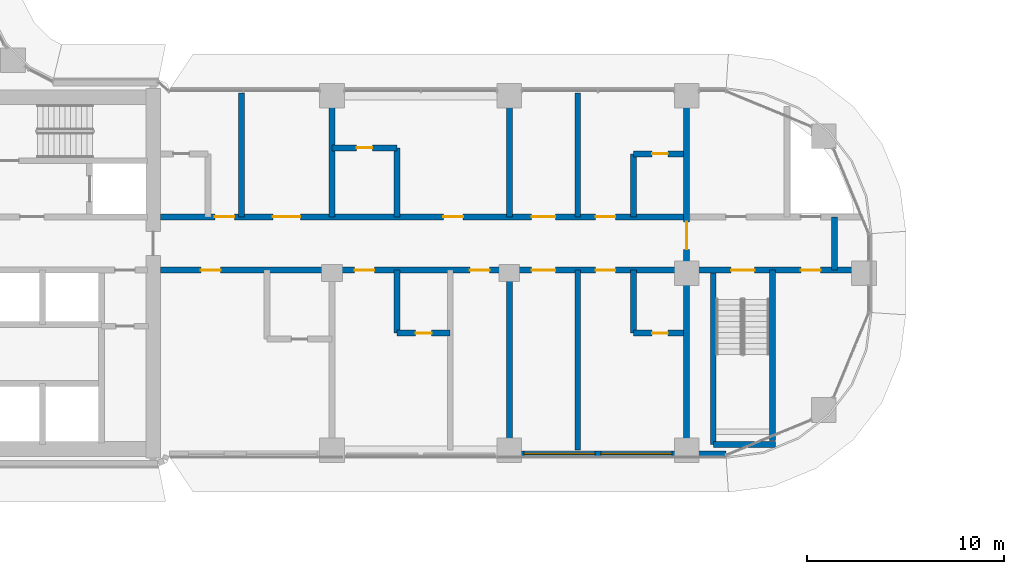
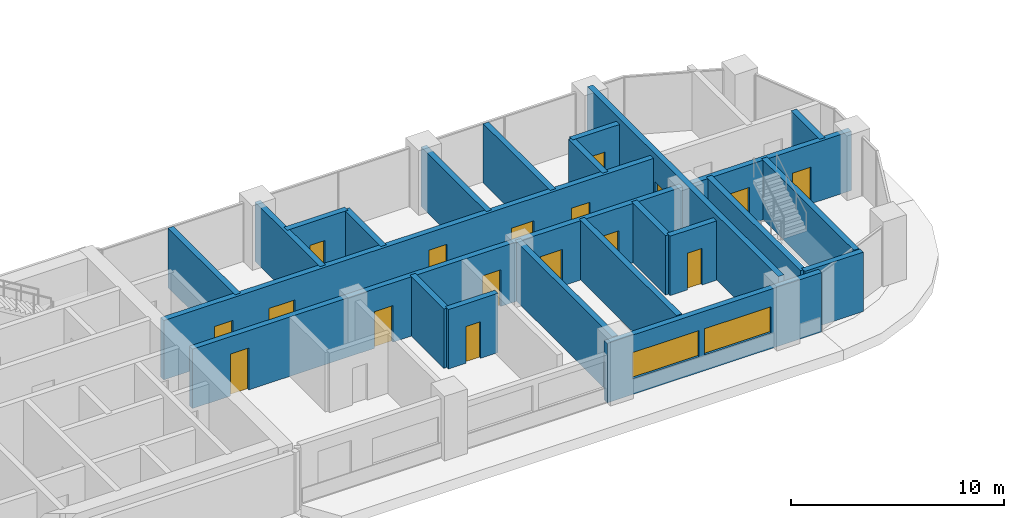
# One storey, part 17 of 33: 23 walls, 17 doors, 2 windows, 19 openings.
"""IFC4 building model written with IfcOpenShell, lengths in metres."""

import ifcopenshell
import ifcopenshell.guid

model = None  # the IFC model being written
_history = None  # IfcOwnerHistory: only IFC2X3 demands one
_inside = {}  # id of a spatial element -> (the spatial element, [elements in it])
_under = {}  # id of a project, library or spatial element -> (it, [spatial elements below it])
_declared = {}  # id of a project -> (the project, [libraries it declares])
_typed = {}  # id of a type object -> (the type object, [elements of that type])
_made_of = {}  # id of a material, layer set ... -> (it, [elements and type objects made of it])


def new_model(schema):
    """Start an empty IFC model of exactly this schema.

    Asked for "IFC4X3", IfcOpenShell would pick the latest addendum, in which some entities
    have other attributes; the version numbers below select the first issue.
    IFC2X3 requires an IfcOwnerHistory on every rooted entity: one is made here for all.
    """
    global model, _history
    if schema == "IFC4X3":
        model = ifcopenshell.file(schema_version=(4, 3, 0, 0))
    else:
        model = ifcopenshell.file(schema=schema)
    _inside.clear()
    _under.clear()
    _declared.clear()
    _typed.clear()
    _made_of.clear()
    _history = None
    if model.schema == "IFC2X3":
        org = make("IfcOrganization", Name="unknown")
        user = make(
            "IfcPersonAndOrganization",
            ThePerson=make("IfcPerson", FamilyName="unknown"),
            TheOrganization=org,
        )
        app = make(
            "IfcApplication",
            ApplicationDeveloper=org,
            Version="unknown",
            ApplicationFullName="unknown",
            ApplicationIdentifier="unknown",
        )
        _history = make(
            "IfcOwnerHistory",
            OwningUser=user,
            OwningApplication=app,
            ChangeAction="ADDED",
            CreationDate=0,
        )
    return model


def make(cls, **values):
    """One entity of the class cls with the attributes given. An attribute that is None is left unset."""
    return model.create_entity(
        cls, **{name: value for name, value in values.items() if value is not None}
    )


def rooted(cls, **values):
    """An entity with a GlobalId (a new one), such as an element, a storey or a relation."""
    return make(cls, GlobalId=ifcopenshell.guid.new(), OwnerHistory=_history, **values)


def si_unit(unit_type, name, prefix=None):
    """IfcSIUnit, for example si_unit("LENGTHUNIT", "METRE", prefix="MILLI")."""
    return make("IfcSIUnit", UnitType=unit_type, Prefix=prefix, Name=name)


def assignment(units):
    """IfcUnitAssignment: the units of a project."""
    return None if units is None else make("IfcUnitAssignment", Units=units)


def point(xyz):
    """IfcCartesianPoint."""
    return None if xyz is None else make("IfcCartesianPoint", Coordinates=xyz)


def direction(xyz):
    """IfcDirection."""
    return None if xyz is None else make("IfcDirection", DirectionRatios=xyz)


def frame(location, z_axis=None, x_axis=None):
    """IfcAxis2Placement3D, a coordinate frame: its origin and axes. An axis left out is left unset."""
    return make(
        "IfcAxis2Placement3D",
        Location=point(location),
        Axis=direction(z_axis),
        RefDirection=direction(x_axis),
    )


def frame_2d(location, x_axis=None):
    """IfcAxis2Placement2D, a coordinate frame in the plane: its origin and x axis."""
    return make(
        "IfcAxis2Placement2D", Location=point(location), RefDirection=direction(x_axis)
    )


def origin():
    """The frame at (0, 0, 0) with its axes left unset."""
    return frame((0.0, 0.0, 0.0))


def place(relative_to, where):
    """IfcLocalPlacement: puts the frame where relative to a parent placement (None: the world)."""
    return make(
        "IfcLocalPlacement", PlacementRelTo=relative_to, RelativePlacement=where
    )


def context(
    kind, dimensions, precision=None, world=None, true_north=None, identifier=None
):
    """IfcGeometricRepresentationContext, for example the 3D "Model" context."""
    return make(
        "IfcGeometricRepresentationContext",
        ContextIdentifier=identifier,
        ContextType=kind,
        CoordinateSpaceDimension=dimensions,
        Precision=precision,
        WorldCoordinateSystem=world,
        TrueNorth=true_north,
    )


def subcontext(parent, identifier, kind, view, scale=None):
    """IfcGeometricRepresentationSubContext, for example "Body" below "Model"."""
    return make(
        "IfcGeometricRepresentationSubContext",
        ContextIdentifier=identifier,
        ContextType=kind,
        ParentContext=parent,
        TargetScale=scale,
        TargetView=view,
    )


def project(units=None, contexts=None):
    """IfcProject with its units and contexts."""
    return rooted(
        "IfcProject",
        Name="project",
        RepresentationContexts=contexts,
        UnitsInContext=assignment(units),
    )


def spatial(cls, under=None, at=None, **own):
    """A site, building, storey or space (cls), placed at a placement, below another one or the project."""
    s = rooted(cls, ObjectPlacement=at, **own)
    if under is not None:
        _under.setdefault(under.id(), (under, []))[1].append(s)
    return s


def profile(cls, at=None, kind="AREA", **sizes):
    """A parametric profile (cls). Its sizes go by their IFC names, for example OverallWidth=200.0."""
    return make(cls, ProfileType=kind, Position=at, **sizes)


def rectangle(**sizes):
    """IfcRectangleProfileDef."""
    return profile("IfcRectangleProfileDef", **sizes)


def extrude(swept, where, along, depth):
    """IfcExtrudedAreaSolid: the profile swept, set in the frame where, extruded along a direction by depth."""
    return make(
        "IfcExtrudedAreaSolid",
        SweptArea=swept,
        Position=where,
        ExtrudedDirection=direction(along),
        Depth=depth,
    )


def shape(context_of_items, identifier, shape_type, items):
    """IfcShapeRepresentation: the items that make up one representation, for example the "Body"."""
    return make(
        "IfcShapeRepresentation",
        ContextOfItems=context_of_items,
        RepresentationIdentifier=identifier,
        RepresentationType=shape_type,
        Items=items,
    )


def material(Name=None, Category=None):
    """IfcMaterial."""
    return make("IfcMaterial", Name=Name, Category=Category)


def layer(
    of_material, thickness, ventilated=None, Name=None, Category=None, Priority=None
):
    """IfcMaterialLayer: one layer of a wall or slab, of a material (None: an air gap)."""
    return make(
        "IfcMaterialLayer",
        Material=of_material,
        LayerThickness=thickness,
        IsVentilated=ventilated,
        Name=Name,
        Category=Category,
        Priority=Priority,
    )


def layer_set(layers, Name=None):
    """IfcMaterialLayerSet."""
    return make("IfcMaterialLayerSet", MaterialLayers=layers, LayerSetName=Name)


def made_of(thing, what):
    """Note that an element or type object is made of a material, layer set ...; save() writes the relation."""
    if what is not None:
        _made_of.setdefault(what.id(), (what, []))[1].append(thing)
    return thing


def type_object(cls, material=None, **own):
    """A type object (cls), such as IfcWallType, which elements share."""
    return made_of(rooted(cls, **own), material)


def element(
    cls,
    number,
    at=None,
    inside=None,
    cuts=None,
    type_object=None,
    material=None,
    context=None,
    identifier="Body",
    shape_type=None,
    held_by="IfcProductDefinitionShape",
    body=None,
    shapes=None,
    **own,
):
    """One element of the class cls, such as IfcWall. Its Tag is "e" and its number.

    at: its placement. inside: the storey or other place that contains it. cuts: it is an
    opening in that element (IfcRelVoidsElement). A single representation is given by context,
    identifier, shape_type and body (its items); several are given by shapes. held_by: the class
    of the entity that holds the representations. save() writes the other relations.
    """
    e = rooted(cls, Tag="e%d" % number, ObjectPlacement=at, **own)
    if body is not None:
        shapes = [shape(context, identifier, shape_type, body)]
    if shapes is not None:
        e.Representation = make(held_by, Representations=shapes)
    if inside is not None:
        _inside.setdefault(inside.id(), (inside, []))[1].append(e)
    if cuts is not None:
        rooted(
            "IfcRelVoidsElement", RelatingBuildingElement=cuts, RelatedOpeningElement=e
        )
    if type_object is not None:
        _typed.setdefault(type_object.id(), (type_object, []))[1].append(e)
    return made_of(e, material)


def fill(opening, filler):
    """IfcRelFillsElement: the door or window that sits in an opening."""
    return rooted(
        "IfcRelFillsElement",
        RelatingOpeningElement=opening,
        RelatedBuildingElement=filler,
    )


def aggregate(whole, parts):
    """IfcRelAggregates: a whole, such as a stair, and the parts it consists of."""
    return rooted("IfcRelAggregates", RelatingObject=whole, RelatedObjects=parts)


def save(model, path):
    """Write the relations noted so far, then the file.

    IfcRelAggregates (storeys below a building ...), IfcRelContainedInSpatialStructure (elements
    in a storey), IfcRelDefinesByType, IfcRelAssociatesMaterial and IfcRelDeclares: one each for
    every whole, place, type object, material and project.
    """
    for whole, parts in _under.values():
        aggregate(whole, parts)
    for where, things in _inside.values():
        rooted(
            "IfcRelContainedInSpatialStructure",
            RelatedElements=things,
            RelatingStructure=where,
        )
    for kind, things in _typed.values():
        rooted("IfcRelDefinesByType", RelatedObjects=things, RelatingType=kind)
    for what, things in _made_of.values():
        rooted("IfcRelAssociatesMaterial", RelatedObjects=things, RelatingMaterial=what)
    for by, libraries in _declared.values():
        rooted("IfcRelDeclares", RelatingContext=by, RelatedDefinitions=libraries)
    model.write(path)


model = new_model("IFC4")

# Units and contexts
model_context = context("Model", 3, precision=1e-05, world=origin(), true_north=direction((0.0, 1.0)))
body_context = subcontext(model_context, "Body", "Model", "MODEL_VIEW")
ifc_project = project(units=[si_unit("LENGTHUNIT", "METRE"), si_unit("AREAUNIT", "SQUARE_METRE"), si_unit("VOLUMEUNIT", "CUBIC_METRE"), si_unit("PLANEANGLEUNIT", "RADIAN"), si_unit("MASSUNIT", "GRAM", prefix="KILO")], contexts=[model_context])

# Site, building, storey
site_placement = place(None, origin())
site = spatial("IfcSite", under=ifc_project, at=site_placement, CompositionType="ELEMENT")
building_placement = place(site_placement, origin())
building = spatial("IfcBuilding", under=site, at=building_placement, Name="Ogive Portal Towers", CompositionType="ELEMENT")
storey_placement = place(building_placement, frame((0.0, 0.0, 98.199951171875)))
storey = spatial("IfcBuildingStorey", under=building, at=storey_placement, Name="L23", CompositionType="ELEMENT", Elevation=98.199951171875)

# Wall, openings, windows
ifc_material_1 = material(Name="Limestone cladding on lightweight block wall", Category="masonry")
ifc_layer_1 = layer(ifc_material_1, 0.300048828125)
ifc_layer_set_1 = layer_set([ifc_layer_1], Name="EXTERNAL WALL 300 STONE")
wall_type_1 = type_object("IfcWallType", Name="EXTERNAL WALL 300 STONE", PredefinedType="SOLIDWALL", material=ifc_layer_set_1)
wall_1_placement = place(storey_placement, frame((75.875, 21.330078125, 0.0), z_axis=(0.0, 0.0, 1.0), x_axis=(1.0, 0.0, 0.0)))
wall_1 = element("IfcWall", 1, at=wall_1_placement, inside=storey, type_object=wall_type_1, Name="A:L23:f20:r0:wall2", PredefinedType="SOLIDWALL", context=body_context, shape_type="SweptSolid", body=[
    extrude(rectangle(XDim=11.609130859375, YDim=0.300048828125, at=frame_2d((5.8046875, 0.0))), origin(), (0.0, 0.0, 1.0), 3.400146484375),
])
opening_1_placement = place(wall_1_placement, frame((1.375, 0.0, 0.89990234375)))
opening_1 = element("IfcOpeningElement", 2, at=opening_1_placement, cuts=wall_1, Name="Opening WN12", PredefinedType="OPENING", context=body_context, shape_type="SweptSolid", body=[
    extrude(rectangle(XDim=3.60009765625, YDim=1.5, at=frame_2d((1.800048828125, 0.75))), frame((0.0, 0.16015625, 0.0), z_axis=(0.0, -1.0, 0.0), x_axis=(1.0, 0.0, 0.0)), (0.0, 0.0, 1.0), 0.320068359375),
])
opening_2_placement = place(wall_1_placement, frame((5.27490234375, 0.0, 0.89990234375)))
opening_2 = element("IfcOpeningElement", 3, at=opening_2_placement, cuts=wall_1, Name="Opening WN12", PredefinedType="OPENING", context=body_context, shape_type="SweptSolid", body=[
    extrude(rectangle(XDim=3.60009765625, YDim=1.5, at=frame_2d((1.800048828125, 0.75))), frame((0.0, 0.16015625, 0.0), z_axis=(0.0, -1.0, 0.0), x_axis=(1.0, 0.0, 0.0)), (0.0, 0.0, 1.0), 0.320068359375),
])
ifc_material_2 = material(Name="Glass, clear low-iron insulated glazing", Category="glass")
window_type = type_object("IfcWindowType", Name="WINDOW RIBBON 3600x1500", PartitioningType="TRIPLE_PANEL_VERTICAL", PredefinedType="WINDOW", material=ifc_material_2)
window_1_placement = place(opening_1_placement, origin())
window_1 = element("IfcWindow", 4, at=window_1_placement, inside=storey, type_object=window_type, Name="A:L23:f20:r0:w4", OverallHeight=1.5, OverallWidth=3.60009765625, PartitioningType="SINGLE_PANEL", PredefinedType="WINDOW", context=body_context, shape_type="SweptSolid", body=[
    extrude(rectangle(XDim=3.60009765625, YDim=1.5, at=frame_2d((1.800048828125, 0.75))), frame((0.0, 0.030029296875, 0.0), z_axis=(0.0, -1.0, 0.0), x_axis=(1.0, 0.0, 0.0)), (0.0, 0.0, 1.0), 0.06005859375),
])
fill(opening_1, window_1)
window_2_placement = place(opening_2_placement, origin())
window_2 = element("IfcWindow", 5, at=window_2_placement, inside=storey, type_object=window_type, Name="A:L23:f20:r0:w5", OverallHeight=1.5, OverallWidth=3.60009765625, PartitioningType="SINGLE_PANEL", PredefinedType="WINDOW", context=body_context, shape_type="SweptSolid", body=[
    extrude(rectangle(XDim=3.60009765625, YDim=1.5, at=frame_2d((1.800048828125, 0.75))), frame((0.0, 0.030029296875, 0.0), z_axis=(0.0, -1.0, 0.0), x_axis=(1.0, 0.0, 0.0)), (0.0, 0.0, 1.0), 0.06005859375),
])
fill(opening_2, window_2)

# Wall, opening, door
ifc_material_3 = material(Name="Concrete C60/75", Category="concrete")
ifc_layer_2 = layer(ifc_material_3, 0.300048828125)
ifc_layer_set_2 = layer_set([ifc_layer_2], Name="REVEAL WALL 300 C60")
wall_type_2 = type_object("IfcWallType", Name="REVEAL WALL 300 C60", PredefinedType="SHEAR", material=ifc_layer_set_2)
wall_2_placement = place(storey_placement, frame((85.5, 21.530029296875, 0.0), z_axis=(0.0, 0.0, 1.0), x_axis=(0.0, 1.0, 0.0)))
wall_2 = element("IfcWall", 6, at=wall_2_placement, inside=storey, type_object=wall_type_2, Name="Portal reveal wall L23", PredefinedType="SHEAR", context=body_context, shape_type="SweptSolid", body=[
    extrude(rectangle(XDim=17.93994140625, YDim=0.300048828125, at=frame_2d((8.969970703125, 0.0))), origin(), (0.0, 0.0, 1.0), 3.699951171875),
])
opening_3_placement = place(wall_2_placement, frame((10.169921875, 0.0, 0.0)))
opening_3 = element("IfcOpeningElement", 7, at=opening_3_placement, cuts=wall_2, Name="Opening D08-064", PredefinedType="OPENING", context=body_context, shape_type="SweptSolid", body=[
    extrude(rectangle(XDim=1.39990234375, YDim=2.10009765625, at=frame_2d((0.699951171875, 1.050048828125))), frame((0.0, 0.16015625, 0.0), z_axis=(0.0, -1.0, 0.0), x_axis=(1.0, 0.0, 0.0)), (0.0, 0.0, 1.0), 0.320068359375),
])
ifc_material_4 = material(Name="Steel fire door", Category="steel")
door_type_1 = type_object("IfcDoorType", Name="DT-STAIR-1400x2100-FD90S", OperationType="SINGLE_SWING_LEFT", PredefinedType="DOOR", material=ifc_material_4)
door_1_placement = place(opening_3_placement, origin())
door_1 = element("IfcDoor", 8, at=door_1_placement, inside=storey, type_object=door_type_1, Name="Door D08-064", OperationType="SINGLE_SWING_RIGHT", OverallHeight=2.10009765625, OverallWidth=1.39990234375, PredefinedType="DOOR", context=body_context, shape_type="SweptSolid", body=[
    extrude(rectangle(XDim=1.39990234375, YDim=2.10009765625, at=frame_2d((0.699951171875, 1.050048828125))), frame((0.0, 0.02490234375, 0.0), z_axis=(0.0, -1.0, 0.0), x_axis=(1.0, 0.0, 0.0)), (0.0, 0.0, 1.0), 0.050048828125),
])
fill(opening_3, door_1)

# Wall
ifc_material_5 = material(Name="Concrete C50/60", Category="concrete")
ifc_layer_3 = layer(ifc_material_5, 0.300048828125)
ifc_layer_set_3 = layer_set([ifc_layer_3], Name="STAIR WALL 300 C50")
wall_type_3 = type_object("IfcWallType", Name="STAIR WALL 300 C50", PredefinedType="SHEAR", material=ifc_layer_set_3)
wall_3_placement = place(storey_placement, frame((86.85009765625, 21.800048828125, 0.0), z_axis=(0.0, 0.0, 1.0), x_axis=(1.0, 0.0, 0.0)))
element("IfcWall", 9, at=wall_3_placement, inside=storey, type_object=wall_type_3, Name="Stair wall ST-A4 L23", PredefinedType="SHEAR", context=body_context, shape_type="SweptSolid", body=[
    extrude(rectangle(XDim=3.16796875, YDim=0.300048828125, at=frame_2d((1.583984375, 0.0))), origin(), (0.0, 0.0, 1.0), 3.400146484375),
])

# Wall, openings, doors
wall_4_placement = place(storey_placement, frame((85.669921875, 30.64990234375, 0.0), z_axis=(0.0, 0.0, 1.0), x_axis=(1.0, 0.0, 0.0)))
wall_4 = element("IfcWall", 10, at=wall_4_placement, inside=storey, type_object=wall_type_3, Name="Stair wall ST-A4 L23", PredefinedType="SHEAR", context=body_context, shape_type="SweptSolid", body=[
    extrude(rectangle(XDim=8.800048828125, YDim=0.300048828125, at=frame_2d((4.39990234375, 0.0))), origin(), (0.0, 0.0, 1.0), 3.400146484375),
])
opening_4_placement = place(wall_4_placement, frame((2.080078125, 0.0, 0.0)))
opening_4 = element("IfcOpeningElement", 11, at=opening_4_placement, cuts=wall_4, Name="Opening D08-059", PredefinedType="OPENING", context=body_context, shape_type="SweptSolid", body=[
    extrude(rectangle(XDim=1.199951171875, YDim=2.10009765625, at=frame_2d((0.60009765625, 1.050048828125))), frame((0.0, 0.16015625, 0.0), z_axis=(0.0, -1.0, 0.0), x_axis=(1.0, 0.0, 0.0)), (0.0, 0.0, 1.0), 0.320068359375),
])
opening_5_placement = place(wall_4_placement, frame((5.6298828125, 0.0, 0.0)))
opening_5 = element("IfcOpeningElement", 12, at=opening_5_placement, cuts=wall_4, Name="Opening D08-062", PredefinedType="OPENING", context=body_context, shape_type="SweptSolid", body=[
    extrude(rectangle(XDim=1.0, YDim=2.10009765625, at=frame_2d((0.5, 1.050048828125))), frame((0.0, 0.16015625, 0.0), z_axis=(0.0, -1.0, 0.0), x_axis=(1.0, 0.0, 0.0)), (0.0, 0.0, 1.0), 0.320068359375),
])
door_type_2 = type_object("IfcDoorType", Name="DT-SERVICE-1000x2100-FD90S", OperationType="SINGLE_SWING_LEFT", PredefinedType="DOOR", material=ifc_material_4)
door_2_placement = place(opening_5_placement, origin())
door_2 = element("IfcDoor", 13, at=door_2_placement, inside=storey, type_object=door_type_2, Name="Door D08-062", OperationType="SINGLE_SWING_LEFT", OverallHeight=2.10009765625, OverallWidth=1.0, PredefinedType="DOOR", context=body_context, shape_type="SweptSolid", body=[
    extrude(rectangle(XDim=1.0, YDim=2.10009765625, at=frame_2d((0.5, 1.050048828125))), frame((0.0, 0.02490234375, 0.0), z_axis=(0.0, -1.0, 0.0), x_axis=(1.0, 0.0, 0.0)), (0.0, 0.0, 1.0), 0.050048828125),
])
fill(opening_5, door_2)
door_type_3 = type_object("IfcDoorType", Name="DT-STAIR-1200x2100-FD90S", OperationType="SINGLE_SWING_LEFT", PredefinedType="DOOR", material=ifc_material_4)
door_3_placement = place(opening_4_placement, origin())
door_3 = element("IfcDoor", 14, at=door_3_placement, inside=storey, type_object=door_type_3, Name="Door D08-059", OperationType="SINGLE_SWING_LEFT", OverallHeight=2.10009765625, OverallWidth=1.199951171875, PredefinedType="DOOR", context=body_context, shape_type="SweptSolid", body=[
    extrude(rectangle(XDim=1.199951171875, YDim=2.10009765625, at=frame_2d((0.60009765625, 1.050048828125))), frame((0.0, 0.02490234375, 0.0), z_axis=(0.0, -1.0, 0.0), x_axis=(1.0, 0.0, 0.0)), (0.0, 0.0, 1.0), 0.050048828125),
])
fill(opening_4, door_3)

# Walls
wall_5_placement = place(storey_placement, frame((86.85009765625, 21.800048828125, 0.0), z_axis=(0.0, 0.0, 1.0), x_axis=(0.0, 1.0, 0.0)))
element("IfcWall", 15, at=wall_5_placement, inside=storey, type_object=wall_type_3, Name="Stair wall ST-A4 L23", PredefinedType="SHEAR", context=body_context, shape_type="SweptSolid", body=[
    extrude(rectangle(XDim=8.849853515625, YDim=0.300048828125, at=frame_2d((4.4248046875, 0.0))), origin(), (0.0, 0.0, 1.0), 3.400146484375),
])
wall_6_placement = place(storey_placement, frame((89.85009765625, 21.9970703125, 0.0), z_axis=(0.0, 0.0, 1.0), x_axis=(0.0, 1.0, 0.0)))
element("IfcWall", 16, at=wall_6_placement, inside=storey, type_object=wall_type_3, Name="Stair wall ST-A4 L23", PredefinedType="SHEAR", context=body_context, shape_type="SweptSolid", body=[
    extrude(rectangle(XDim=8.65283203125, YDim=0.300048828125, at=frame_2d((4.326416015625, 0.0))), origin(), (0.0, 0.0, 1.0), 3.400146484375),
])

# Wall, openings, doors
ifc_material_6 = material(Name="Gypsum board partition on steel studs", Category="steel")
ifc_layer_4 = layer(ifc_material_6, 0.300048828125)
ifc_layer_set_4 = layer_set([ifc_layer_4], Name="WT-PART-300-EI 120")
wall_type_4 = type_object("IfcWallType", Name="WT-PART-300-EI 120", PredefinedType="PARTITIONING", material=ifc_layer_set_4)
wall_7_placement = place(storey_placement, frame((58.800048828125, 30.64990234375, 0.0), z_axis=(0.0, 0.0, 1.0), x_axis=(1.0, 0.0, 0.0)))
wall_7 = element("IfcWall", 17, at=wall_7_placement, inside=storey, type_object=wall_type_4, Name="Wall L23:w005", PredefinedType="PARTITIONING", context=body_context, shape_type="SweptSolid", body=[
    extrude(rectangle(XDim=26.530029296875, YDim=0.300048828125, at=frame_2d((13.26513671875, 0.0))), origin(), (0.0, 0.0, 1.0), 3.400146484375),
])
opening_6_placement = place(wall_7_placement, frame((2.050048828125, 0.0, 0.0)))
opening_6 = element("IfcOpeningElement", 18, at=opening_6_placement, cuts=wall_7, Name="Opening D08-029", PredefinedType="OPENING", context=body_context, shape_type="SweptSolid", body=[
    extrude(rectangle(XDim=1.0, YDim=2.39990234375, at=frame_2d((0.5, 1.199951171875))), frame((0.0, 0.16015625, 0.0), z_axis=(0.0, -1.0, 0.0), x_axis=(1.0, 0.0, 0.0)), (0.0, 0.0, 1.0), 0.320068359375),
])
opening_7_placement = place(wall_7_placement, frame((9.85009765625, 0.0, 0.0)))
opening_7 = element("IfcOpeningElement", 19, at=opening_7_placement, cuts=wall_7, Name="Opening D08-033", PredefinedType="OPENING", context=body_context, shape_type="SweptSolid", body=[
    extrude(rectangle(XDim=1.0, YDim=2.10009765625, at=frame_2d((0.5, 1.050048828125))), frame((0.0, 0.16015625, 0.0), z_axis=(0.0, -1.0, 0.0), x_axis=(1.0, 0.0, 0.0)), (0.0, 0.0, 1.0), 0.320068359375),
])
opening_8_placement = place(wall_7_placement, frame((15.699951171875, 0.0, 0.0)))
opening_8 = element("IfcOpeningElement", 20, at=opening_8_placement, cuts=wall_7, Name="Opening D08-034", PredefinedType="OPENING", context=body_context, shape_type="SweptSolid", body=[
    extrude(rectangle(XDim=1.0, YDim=2.10009765625, at=frame_2d((0.5, 1.050048828125))), frame((0.0, 0.16015625, 0.0), z_axis=(0.0, -1.0, 0.0), x_axis=(1.0, 0.0, 0.0)), (0.0, 0.0, 1.0), 0.320068359375),
])
opening_9_placement = place(wall_7_placement, frame((18.8349609375, 0.0, 0.0)))
opening_9 = element("IfcOpeningElement", 21, at=opening_9_placement, cuts=wall_7, Name="Opening D08-038", PredefinedType="OPENING", context=body_context, shape_type="SweptSolid", body=[
    extrude(rectangle(XDim=1.199951171875, YDim=2.10009765625, at=frame_2d((0.60009765625, 1.050048828125))), frame((0.0, 0.16015625, 0.0), z_axis=(0.0, -1.0, 0.0), x_axis=(1.0, 0.0, 0.0)), (0.0, 0.0, 1.0), 0.320068359375),
])
opening_10_placement = place(wall_7_placement, frame((22.0849609375, 0.0, 0.0)))
opening_10 = element("IfcOpeningElement", 22, at=opening_10_placement, cuts=wall_7, Name="Opening D08-040", PredefinedType="OPENING", context=body_context, shape_type="SweptSolid", body=[
    extrude(rectangle(XDim=1.0, YDim=2.10009765625, at=frame_2d((0.5, 1.050048828125))), frame((0.0, 0.16015625, 0.0), z_axis=(0.0, -1.0, 0.0), x_axis=(1.0, 0.0, 0.0)), (0.0, 0.0, 1.0), 0.320068359375),
])
door_type_4 = type_object("IfcDoorType", Name="DT-ENTRY-1000x2100-FD90S", OperationType="SINGLE_SWING_LEFT", PredefinedType="DOOR", material=ifc_material_4)
door_4_placement = place(opening_7_placement, origin())
door_4 = element("IfcDoor", 23, at=door_4_placement, inside=storey, type_object=door_type_4, Name="Door D08-033", OperationType="SINGLE_SWING_LEFT", OverallHeight=2.10009765625, OverallWidth=1.0, PredefinedType="DOOR", context=body_context, shape_type="SweptSolid", body=[
    extrude(rectangle(XDim=1.0, YDim=2.10009765625, at=frame_2d((0.5, 1.050048828125))), frame((0.0, 0.02490234375, 0.0), z_axis=(0.0, -1.0, 0.0), x_axis=(1.0, 0.0, 0.0)), (0.0, 0.0, 1.0), 0.050048828125),
])
fill(opening_7, door_4)
door_5_placement = place(opening_8_placement, origin())
door_5 = element("IfcDoor", 24, at=door_5_placement, inside=storey, type_object=door_type_4, Name="Door D08-034", OperationType="SINGLE_SWING_LEFT", OverallHeight=2.10009765625, OverallWidth=1.0, PredefinedType="DOOR", context=body_context, shape_type="SweptSolid", body=[
    extrude(rectangle(XDim=1.0, YDim=2.10009765625, at=frame_2d((0.5, 1.050048828125))), frame((0.0, 0.02490234375, 0.0), z_axis=(0.0, -1.0, 0.0), x_axis=(1.0, 0.0, 0.0)), (0.0, 0.0, 1.0), 0.050048828125),
])
fill(opening_8, door_5)
door_6_placement = place(opening_10_placement, origin())
door_6 = element("IfcDoor", 25, at=door_6_placement, inside=storey, type_object=door_type_4, Name="Door D08-040", OperationType="SINGLE_SWING_RIGHT", OverallHeight=2.10009765625, OverallWidth=1.0, PredefinedType="DOOR", context=body_context, shape_type="SweptSolid", body=[
    extrude(rectangle(XDim=1.0, YDim=2.10009765625, at=frame_2d((0.5, 1.050048828125))), frame((0.0, 0.02490234375, 0.0), z_axis=(0.0, -1.0, 0.0), x_axis=(1.0, 0.0, 0.0)), (0.0, 0.0, 1.0), 0.050048828125),
])
fill(opening_10, door_6)
door_type_5 = type_object("IfcDoorType", Name="DT-ENTRY-1000x2400-FD90S", OperationType="SINGLE_SWING_LEFT", PredefinedType="DOOR", material=ifc_material_4)
door_7_placement = place(opening_6_placement, origin())
door_7 = element("IfcDoor", 26, at=door_7_placement, inside=storey, type_object=door_type_5, Name="Door D08-029", OperationType="SINGLE_SWING_LEFT", OverallHeight=2.39990234375, OverallWidth=1.0, PredefinedType="DOOR", context=body_context, shape_type="SweptSolid", body=[
    extrude(rectangle(XDim=1.0, YDim=2.39990234375, at=frame_2d((0.5, 1.199951171875))), frame((0.0, 0.02490234375, 0.0), z_axis=(0.0, -1.0, 0.0), x_axis=(1.0, 0.0, 0.0)), (0.0, 0.0, 1.0), 0.050048828125),
])
fill(opening_6, door_7)
door_type_6 = type_object("IfcDoorType", Name="DT-ENTRY-1200x2100-FD90S", OperationType="SINGLE_SWING_LEFT", PredefinedType="DOOR", material=ifc_material_4)
door_8_placement = place(opening_9_placement, origin())
door_8 = element("IfcDoor", 27, at=door_8_placement, inside=storey, type_object=door_type_6, Name="Door D08-038", OperationType="SINGLE_SWING_LEFT", OverallHeight=2.10009765625, OverallWidth=1.199951171875, PredefinedType="DOOR", context=body_context, shape_type="SweptSolid", body=[
    extrude(rectangle(XDim=1.199951171875, YDim=2.10009765625, at=frame_2d((0.60009765625, 1.050048828125))), frame((0.0, 0.02490234375, 0.0), z_axis=(0.0, -1.0, 0.0), x_axis=(1.0, 0.0, 0.0)), (0.0, 0.0, 1.0), 0.050048828125),
])
fill(opening_9, door_8)

wall_8_placement = place(storey_placement, frame((58.800048828125, 33.35009765625, 0.0), z_axis=(0.0, 0.0, 1.0), x_axis=(1.0, 0.0, 0.0)))
wall_8 = element("IfcWall", 28, at=wall_8_placement, inside=storey, type_object=wall_type_4, Name="Wall L23:w007", PredefinedType="PARTITIONING", context=body_context, shape_type="SweptSolid", body=[
    extrude(rectangle(XDim=26.530029296875, YDim=0.300048828125, at=frame_2d((13.26513671875, 0.0))), origin(), (0.0, 0.0, 1.0), 3.400146484375),
])
opening_11_placement = place(wall_8_placement, frame((2.75, 0.0, 0.0)))
opening_11 = element("IfcOpeningElement", 29, at=opening_11_placement, cuts=wall_8, Name="Opening D08-026", PredefinedType="OPENING", context=body_context, shape_type="SweptSolid", body=[
    extrude(rectangle(XDim=1.0, YDim=2.10009765625, at=frame_2d((0.5, 1.050048828125))), frame((0.0, 0.16015625, 0.0), z_axis=(0.0, -1.0, 0.0), x_axis=(1.0, 0.0, 0.0)), (0.0, 0.0, 1.0), 0.320068359375),
])
opening_12_placement = place(wall_8_placement, frame((5.699951171875, 0.0, 0.0)))
opening_12 = element("IfcOpeningElement", 30, at=opening_12_placement, cuts=wall_8, Name="Opening D08-027", PredefinedType="OPENING", context=body_context, shape_type="SweptSolid", body=[
    extrude(rectangle(XDim=1.39990234375, YDim=2.10009765625, at=frame_2d((0.699951171875, 1.050048828125))), frame((0.0, 0.16015625, 0.0), z_axis=(0.0, -1.0, 0.0), x_axis=(1.0, 0.0, 0.0)), (0.0, 0.0, 1.0), 0.320068359375),
])
opening_13_placement = place(wall_8_placement, frame((14.35009765625, 0.0, 0.0)))
opening_13 = element("IfcOpeningElement", 31, at=opening_13_placement, cuts=wall_8, Name="Opening D08-031", PredefinedType="OPENING", context=body_context, shape_type="SweptSolid", body=[
    extrude(rectangle(XDim=1.0, YDim=2.39990234375, at=frame_2d((0.5, 1.199951171875))), frame((0.0, 0.16015625, 0.0), z_axis=(0.0, -1.0, 0.0), x_axis=(1.0, 0.0, 0.0)), (0.0, 0.0, 1.0), 0.320068359375),
])
opening_14_placement = place(wall_8_placement, frame((18.8349609375, 0.0, 0.0)))
opening_14 = element("IfcOpeningElement", 32, at=opening_14_placement, cuts=wall_8, Name="Opening D08-035", PredefinedType="OPENING", context=body_context, shape_type="SweptSolid", body=[
    extrude(rectangle(XDim=1.199951171875, YDim=2.10009765625, at=frame_2d((0.60009765625, 1.050048828125))), frame((0.0, 0.16015625, 0.0), z_axis=(0.0, -1.0, 0.0), x_axis=(1.0, 0.0, 0.0)), (0.0, 0.0, 1.0), 0.320068359375),
])
opening_15_placement = place(wall_8_placement, frame((22.0849609375, 0.0, 0.0)))
opening_15 = element("IfcOpeningElement", 33, at=opening_15_placement, cuts=wall_8, Name="Opening D08-037", PredefinedType="OPENING", context=body_context, shape_type="SweptSolid", body=[
    extrude(rectangle(XDim=1.0, YDim=2.10009765625, at=frame_2d((0.5, 1.050048828125))), frame((0.0, 0.16015625, 0.0), z_axis=(0.0, -1.0, 0.0), x_axis=(1.0, 0.0, 0.0)), (0.0, 0.0, 1.0), 0.320068359375),
])
door_9_placement = place(opening_11_placement, origin())
door_9 = element("IfcDoor", 34, at=door_9_placement, inside=storey, type_object=door_type_4, Name="Door D08-026", OperationType="SINGLE_SWING_LEFT", OverallHeight=2.10009765625, OverallWidth=1.0, PredefinedType="DOOR", context=body_context, shape_type="SweptSolid", body=[
    extrude(rectangle(XDim=1.0, YDim=2.10009765625, at=frame_2d((0.5, 1.050048828125))), frame((0.0, 0.02490234375, 0.0), z_axis=(0.0, -1.0, 0.0), x_axis=(1.0, 0.0, 0.0)), (0.0, 0.0, 1.0), 0.050048828125),
])
fill(opening_11, door_9)
door_10_placement = place(opening_15_placement, origin())
door_10 = element("IfcDoor", 35, at=door_10_placement, inside=storey, type_object=door_type_4, Name="Door D08-037", OperationType="SINGLE_SWING_RIGHT", OverallHeight=2.10009765625, OverallWidth=1.0, PredefinedType="DOOR", context=body_context, shape_type="SweptSolid", body=[
    extrude(rectangle(XDim=1.0, YDim=2.10009765625, at=frame_2d((0.5, 1.050048828125))), frame((0.0, 0.02490234375, 0.0), z_axis=(0.0, -1.0, 0.0), x_axis=(1.0, 0.0, 0.0)), (0.0, 0.0, 1.0), 0.050048828125),
])
fill(opening_15, door_10)
door_11_placement = place(opening_13_placement, origin())
door_11 = element("IfcDoor", 36, at=door_11_placement, inside=storey, type_object=door_type_5, Name="Door D08-031", OperationType="SINGLE_SWING_RIGHT", OverallHeight=2.39990234375, OverallWidth=1.0, PredefinedType="DOOR", context=body_context, shape_type="SweptSolid", body=[
    extrude(rectangle(XDim=1.0, YDim=2.39990234375, at=frame_2d((0.5, 1.199951171875))), frame((0.0, 0.02490234375, 0.0), z_axis=(0.0, -1.0, 0.0), x_axis=(1.0, 0.0, 0.0)), (0.0, 0.0, 1.0), 0.050048828125),
])
fill(opening_13, door_11)
door_12_placement = place(opening_14_placement, origin())
door_12 = element("IfcDoor", 37, at=door_12_placement, inside=storey, type_object=door_type_6, Name="Door D08-035", OperationType="SINGLE_SWING_LEFT", OverallHeight=2.10009765625, OverallWidth=1.199951171875, PredefinedType="DOOR", context=body_context, shape_type="SweptSolid", body=[
    extrude(rectangle(XDim=1.199951171875, YDim=2.10009765625, at=frame_2d((0.60009765625, 1.050048828125))), frame((0.0, 0.02490234375, 0.0), z_axis=(0.0, -1.0, 0.0), x_axis=(1.0, 0.0, 0.0)), (0.0, 0.0, 1.0), 0.050048828125),
])
fill(opening_14, door_12)
door_type_7 = type_object("IfcDoorType", Name="DT-ENTRY-1400x2100-FD90S", OperationType="SINGLE_SWING_LEFT", PredefinedType="DOOR", material=ifc_material_4)
door_13_placement = place(opening_12_placement, origin())
door_13 = element("IfcDoor", 38, at=door_13_placement, inside=storey, type_object=door_type_7, Name="Door D08-027", OperationType="SINGLE_SWING_RIGHT", OverallHeight=2.10009765625, OverallWidth=1.39990234375, PredefinedType="DOOR", context=body_context, shape_type="SweptSolid", body=[
    extrude(rectangle(XDim=1.39990234375, YDim=2.10009765625, at=frame_2d((0.699951171875, 1.050048828125))), frame((0.0, 0.02490234375, 0.0), z_axis=(0.0, -1.0, 0.0), x_axis=(1.0, 0.0, 0.0)), (0.0, 0.0, 1.0), 0.050048828125),
])
fill(opening_12, door_13)

# Wall
wall_9_placement = place(storey_placement, frame((93.0, 30.64990234375, 0.0), z_axis=(0.0, 0.0, 1.0), x_axis=(0.0, 1.0, 0.0)))
element("IfcWall", 39, at=wall_9_placement, inside=storey, type_object=wall_type_4, Name="Wall L23:w059", PredefinedType="PARTITIONING", context=body_context, shape_type="SweptSolid", body=[
    extrude(rectangle(XDim=2.7001953125, YDim=0.300048828125, at=frame_2d((1.35009765625, 0.0))), origin(), (0.0, 0.0, 1.0), 3.400146484375),
])

# Wall, opening, door
ifc_layer_5 = layer(ifc_material_6, 0.300048828125)
ifc_layer_set_5 = layer_set([ifc_layer_5], Name="WT-PART-300-EI 60")
wall_type_5 = type_object("IfcWallType", Name="WT-PART-300-EI 60", PredefinedType="PARTITIONING", material=ifc_layer_set_5)
wall_10_placement = place(storey_placement, frame((70.800048828125, 27.449951171875, 0.0), z_axis=(0.0, 0.0, 1.0), x_axis=(1.0, 0.0, 0.0)))
wall_10 = element("IfcWall", 40, at=wall_10_placement, inside=storey, type_object=wall_type_5, Name="Wall L23:w003", PredefinedType="PARTITIONING", context=body_context, shape_type="SweptSolid", body=[
    extrude(rectangle(XDim=2.699951171875, YDim=0.300048828125, at=frame_2d((1.35009765625, 0.0))), origin(), (0.0, 0.0, 1.0), 3.400146484375),
])
opening_16_placement = place(wall_10_placement, frame((0.949951171875, 0.0, 0.0)))
opening_16 = element("IfcOpeningElement", 41, at=opening_16_placement, cuts=wall_10, Name="Opening D08-032", PredefinedType="OPENING", context=body_context, shape_type="SweptSolid", body=[
    extrude(rectangle(XDim=0.800048828125, YDim=2.10009765625, at=frame_2d((0.39990234375, 1.050048828125))), frame((0.0, 0.16015625, 0.0), z_axis=(0.0, -1.0, 0.0), x_axis=(1.0, 0.0, 0.0)), (0.0, 0.0, 1.0), 0.320068359375),
])
door_type_8 = type_object("IfcDoorType", Name="DT-BATH-800x2100-FD60S", OperationType="SINGLE_SWING_LEFT", PredefinedType="DOOR", material=ifc_material_4)
door_14_placement = place(opening_16_placement, origin())
door_14 = element("IfcDoor", 42, at=door_14_placement, inside=storey, type_object=door_type_8, Name="Door D08-032", OperationType="SINGLE_SWING_RIGHT", OverallHeight=2.10009765625, OverallWidth=0.800048828125, PredefinedType="DOOR", context=body_context, shape_type="SweptSolid", body=[
    extrude(rectangle(XDim=0.800048828125, YDim=2.10009765625, at=frame_2d((0.39990234375, 1.050048828125))), frame((0.0, 0.02490234375, 0.0), z_axis=(0.0, -1.0, 0.0), x_axis=(1.0, 0.0, 0.0)), (0.0, 0.0, 1.0), 0.050048828125),
])
fill(opening_16, door_14)

wall_11_placement = place(storey_placement, frame((82.800048828125, 27.449951171875, 0.0), z_axis=(0.0, 0.0, 1.0), x_axis=(1.0, 0.0, 0.0)))
wall_11 = element("IfcWall", 43, at=wall_11_placement, inside=storey, type_object=wall_type_5, Name="Wall L23:w004", PredefinedType="PARTITIONING", context=body_context, shape_type="SweptSolid", body=[
    extrude(rectangle(XDim=2.530029296875, YDim=0.300048828125, at=frame_2d((1.26513671875, 0.0))), origin(), (0.0, 0.0, 1.0), 3.400146484375),
])
opening_17_placement = place(wall_11_placement, frame((0.949951171875, 0.0, 0.0)))
opening_17 = element("IfcOpeningElement", 44, at=opening_17_placement, cuts=wall_11, Name="Opening D08-039", PredefinedType="OPENING", context=body_context, shape_type="SweptSolid", body=[
    extrude(rectangle(XDim=0.800048828125, YDim=2.10009765625, at=frame_2d((0.39990234375, 1.050048828125))), frame((0.0, 0.16015625, 0.0), z_axis=(0.0, -1.0, 0.0), x_axis=(1.0, 0.0, 0.0)), (0.0, 0.0, 1.0), 0.320068359375),
])
door_15_placement = place(opening_17_placement, origin())
door_15 = element("IfcDoor", 45, at=door_15_placement, inside=storey, type_object=door_type_8, Name="Door D08-039", OperationType="SINGLE_SWING_LEFT", OverallHeight=2.10009765625, OverallWidth=0.800048828125, PredefinedType="DOOR", context=body_context, shape_type="SweptSolid", body=[
    extrude(rectangle(XDim=0.800048828125, YDim=2.10009765625, at=frame_2d((0.39990234375, 1.050048828125))), frame((0.0, 0.02490234375, 0.0), z_axis=(0.0, -1.0, 0.0), x_axis=(1.0, 0.0, 0.0)), (0.0, 0.0, 1.0), 0.050048828125),
])
fill(opening_17, door_15)

wall_12_placement = place(storey_placement, frame((82.800048828125, 36.550048828125, 0.0), z_axis=(0.0, 0.0, 1.0), x_axis=(1.0, 0.0, 0.0)))
wall_12 = element("IfcWall", 46, at=wall_12_placement, inside=storey, type_object=wall_type_5, Name="Wall L23:w010", PredefinedType="PARTITIONING", context=body_context, shape_type="SweptSolid", body=[
    extrude(rectangle(XDim=2.530029296875, YDim=0.300048828125, at=frame_2d((1.26513671875, 0.0))), origin(), (0.0, 0.0, 1.0), 3.400146484375),
])
opening_18_placement = place(wall_12_placement, frame((0.949951171875, 0.0, 0.0)))
opening_18 = element("IfcOpeningElement", 47, at=opening_18_placement, cuts=wall_12, Name="Opening D08-036", PredefinedType="OPENING", context=body_context, shape_type="SweptSolid", body=[
    extrude(rectangle(XDim=0.800048828125, YDim=2.10009765625, at=frame_2d((0.39990234375, 1.050048828125))), frame((0.0, 0.16015625, 0.0), z_axis=(0.0, -1.0, 0.0), x_axis=(1.0, 0.0, 0.0)), (0.0, 0.0, 1.0), 0.320068359375),
])
door_16_placement = place(opening_18_placement, origin())
door_16 = element("IfcDoor", 48, at=door_16_placement, inside=storey, type_object=door_type_8, Name="Door D08-036", OperationType="SINGLE_SWING_LEFT", OverallHeight=2.10009765625, OverallWidth=0.800048828125, PredefinedType="DOOR", context=body_context, shape_type="SweptSolid", body=[
    extrude(rectangle(XDim=0.800048828125, YDim=2.10009765625, at=frame_2d((0.39990234375, 1.050048828125))), frame((0.0, 0.02490234375, 0.0), z_axis=(0.0, -1.0, 0.0), x_axis=(1.0, 0.0, 0.0)), (0.0, 0.0, 1.0), 0.050048828125),
])
fill(opening_18, door_16)

wall_13_placement = place(storey_placement, frame((67.5, 36.85009765625, 0.0), z_axis=(0.0, 0.0, 1.0), x_axis=(1.0, 0.0, 0.0)))
wall_13 = element("IfcWall", 49, at=wall_13_placement, inside=storey, type_object=wall_type_5, Name="Wall L23:w011", PredefinedType="PARTITIONING", context=body_context, shape_type="SweptSolid", body=[
    extrude(rectangle(XDim=3.300048828125, YDim=0.300048828125, at=frame_2d((1.64990234375, 0.0))), origin(), (0.0, 0.0, 1.0), 3.400146484375),
])
opening_19_placement = place(wall_13_placement, frame((1.25, 0.0, 0.0)))
opening_19 = element("IfcOpeningElement", 50, at=opening_19_placement, cuts=wall_13, Name="Opening D08-030", PredefinedType="OPENING", context=body_context, shape_type="SweptSolid", body=[
    extrude(rectangle(XDim=0.800048828125, YDim=2.10009765625, at=frame_2d((0.39990234375, 1.050048828125))), frame((0.0, 0.16015625, 0.0), z_axis=(0.0, -1.0, 0.0), x_axis=(1.0, 0.0, 0.0)), (0.0, 0.0, 1.0), 0.320068359375),
])
door_17_placement = place(opening_19_placement, origin())
door_17 = element("IfcDoor", 51, at=door_17_placement, inside=storey, type_object=door_type_8, Name="Door D08-030", OperationType="SINGLE_SWING_LEFT", OverallHeight=2.10009765625, OverallWidth=0.800048828125, PredefinedType="DOOR", context=body_context, shape_type="SweptSolid", body=[
    extrude(rectangle(XDim=0.800048828125, YDim=2.10009765625, at=frame_2d((0.39990234375, 1.050048828125))), frame((0.0, 0.02490234375, 0.0), z_axis=(0.0, -1.0, 0.0), x_axis=(1.0, 0.0, 0.0)), (0.0, 0.0, 1.0), 0.050048828125),
])
fill(opening_19, door_17)

# Walls
wall_14_placement = place(storey_placement, frame((62.89990234375, 33.35009765625, 0.0), z_axis=(0.0, 0.0, 1.0), x_axis=(0.0, 1.0, 0.0)))
element("IfcWall", 52, at=wall_14_placement, inside=storey, type_object=wall_type_5, Name="Wall L23:w043", PredefinedType="PARTITIONING", context=body_context, shape_type="SweptSolid", body=[
    extrude(rectangle(XDim=6.2998046875, YDim=0.300048828125, at=frame_2d((3.14990234375, 0.0))), origin(), (0.0, 0.0, 1.0), 3.400146484375),
])
wall_15_placement = place(storey_placement, frame((67.5, 33.35009765625, 0.0), z_axis=(0.0, 0.0, 1.0), x_axis=(0.0, 1.0, 0.0)))
element("IfcWall", 53, at=wall_15_placement, inside=storey, type_object=wall_type_5, Name="Wall L23:w046", PredefinedType="PARTITIONING", context=body_context, shape_type="SweptSolid", body=[
    extrude(rectangle(XDim=6.119873046875, YDim=0.300048828125, at=frame_2d((3.06005859375, 0.0))), origin(), (0.0, 0.0, 1.0), 3.400146484375),
])
wall_16_placement = place(storey_placement, frame((70.800048828125, 27.449951171875, 0.0), z_axis=(0.0, 0.0, 1.0), x_axis=(0.0, 1.0, 0.0)))
element("IfcWall", 54, at=wall_16_placement, inside=storey, type_object=wall_type_5, Name="Wall L23:w047", PredefinedType="PARTITIONING", context=body_context, shape_type="SweptSolid", body=[
    extrude(rectangle(XDim=3.199951171875, YDim=0.300048828125, at=frame_2d((1.60009765625, 0.0))), origin(), (0.0, 0.0, 1.0), 3.400146484375),
])
wall_17_placement = place(storey_placement, frame((70.800048828125, 33.35009765625, 0.0), z_axis=(0.0, 0.0, 1.0), x_axis=(0.0, 1.0, 0.0)))
element("IfcWall", 55, at=wall_17_placement, inside=storey, type_object=wall_type_5, Name="Wall L23:w048", PredefinedType="PARTITIONING", context=body_context, shape_type="SweptSolid", body=[
    extrude(rectangle(XDim=3.5, YDim=0.300048828125, at=frame_2d((1.75, 0.0))), origin(), (0.0, 0.0, 1.0), 3.400146484375),
])
wall_18_placement = place(storey_placement, frame((76.5, 21.530029296875, 0.0), z_axis=(0.0, 0.0, 1.0), x_axis=(0.0, 1.0, 0.0)))
element("IfcWall", 56, at=wall_18_placement, inside=storey, type_object=wall_type_5, Name="Wall L23:w050", PredefinedType="PARTITIONING", context=body_context, shape_type="SweptSolid", body=[
    extrude(rectangle(XDim=9.119873046875, YDim=0.300048828125, at=frame_2d((4.56005859375, 0.0))), origin(), (0.0, 0.0, 1.0), 3.400146484375),
])
wall_19_placement = place(storey_placement, frame((76.5, 33.35009765625, 0.0), z_axis=(0.0, 0.0, 1.0), x_axis=(0.0, 1.0, 0.0)))
element("IfcWall", 57, at=wall_19_placement, inside=storey, type_object=wall_type_5, Name="Wall L23:w051", PredefinedType="PARTITIONING", context=body_context, shape_type="SweptSolid", body=[
    extrude(rectangle(XDim=6.119873046875, YDim=0.300048828125, at=frame_2d((3.06005859375, 0.0))), origin(), (0.0, 0.0, 1.0), 3.400146484375),
])
wall_20_placement = place(storey_placement, frame((79.969970703125, 21.530029296875, 0.0), z_axis=(0.0, 0.0, 1.0), x_axis=(0.0, 1.0, 0.0)))
element("IfcWall", 58, at=wall_20_placement, inside=storey, type_object=wall_type_5, Name="Wall L23:w052", PredefinedType="PARTITIONING", context=body_context, shape_type="SweptSolid", body=[
    extrude(rectangle(XDim=9.119873046875, YDim=0.300048828125, at=frame_2d((4.56005859375, 0.0))), origin(), (0.0, 0.0, 1.0), 3.400146484375),
])
wall_21_placement = place(storey_placement, frame((79.969970703125, 33.35009765625, 0.0), z_axis=(0.0, 0.0, 1.0), x_axis=(0.0, 1.0, 0.0)))
element("IfcWall", 59, at=wall_21_placement, inside=storey, type_object=wall_type_5, Name="Wall L23:w053", PredefinedType="PARTITIONING", context=body_context, shape_type="SweptSolid", body=[
    extrude(rectangle(XDim=6.2998046875, YDim=0.300048828125, at=frame_2d((3.14990234375, 0.0))), origin(), (0.0, 0.0, 1.0), 3.400146484375),
])
for number, where, z_axis, x_axis, name in (
    (60, (82.800048828125, 27.449951171875, 0.0), (0.0, 0.0, 1.0), (0.0, 1.0, 0.0), "Wall L23:w054"),
    (61, (82.800048828125, 33.35009765625, 0.0), (0.0, 0.0, 1.0), (0.0, 1.0, 0.0), "Wall L23:w055"),
):
    element("IfcWall", number, at=place(storey_placement, frame(where, z_axis=z_axis, x_axis=x_axis)), inside=storey, type_object=wall_type_5, Name=name, PredefinedType="PARTITIONING", context=body_context, shape_type="SweptSolid", body=[
        extrude(rectangle(XDim=3.199951171875, YDim=0.300048828125, at=frame_2d((1.60009765625, 0.0))), origin(), (0.0, 0.0, 1.0), 3.400146484375),
    ])

save(model, "model.ifc")
